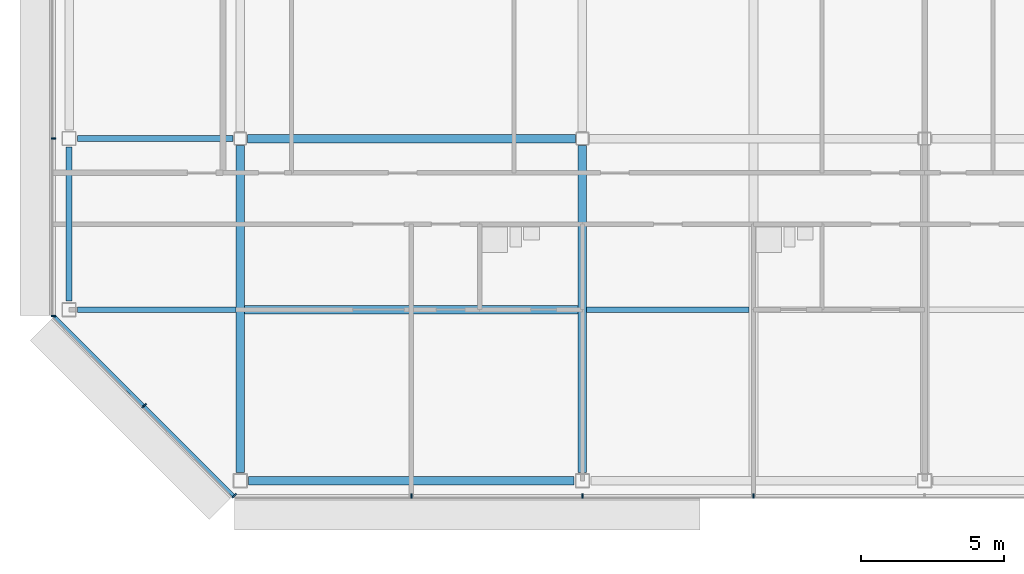
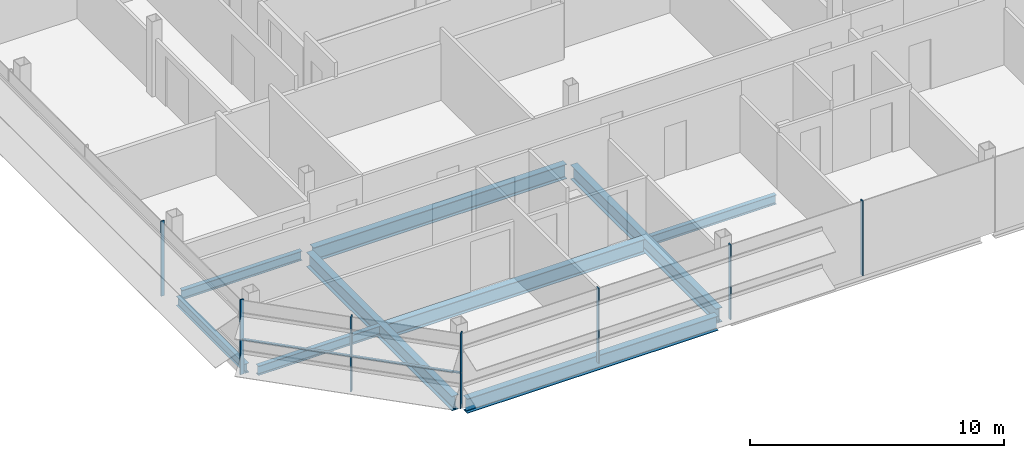
# One storey, part 4 of 28: 9 beams, 8 members, 3 elements without a shape of their own.
"""IFC4 building model written with IfcOpenShell, lengths in metres."""

from ifc_helpers import new_model, si_unit, direction, frame, origin, origin_2d, place, context, subcontext, project, spatial, rectangle, i_section, extrude, material, material_profile, profile_set, type_object, element, aggregate, save


model = new_model("IFC4")

# Units and contexts
model_context = context("Model", 3, precision=1e-05, world=origin(), true_north=direction((0.0, 1.0)))
body_context = subcontext(model_context, "Body", "Model", "MODEL_VIEW")
ifc_project = project(units=[si_unit("LENGTHUNIT", "METRE"), si_unit("AREAUNIT", "SQUARE_METRE"), si_unit("VOLUMEUNIT", "CUBIC_METRE"), si_unit("PLANEANGLEUNIT", "RADIAN"), si_unit("MASSUNIT", "GRAM", prefix="KILO")], contexts=[model_context])

# Site, building, storey
site_placement = place(None, origin())
site = spatial("IfcSite", under=ifc_project, at=site_placement, CompositionType="ELEMENT")
building_placement = place(site_placement, origin())
building = spatial("IfcBuilding", under=site, at=building_placement, Name="Sorahane Residences", CompositionType="ELEMENT")
storey_placement = place(building_placement, frame((0.0, 0.0, 301.60009765625)))
storey = spatial("IfcBuildingStorey", under=building, at=storey_placement, Name="L71", CompositionType="ELEMENT", Elevation=301.60009765625)

# Curtain wall, members
ifc_material_1 = material(Name="Dark low-e glass and black anodised aluminium", Category="aluminium")
curtain_wall_type_1 = type_object("IfcCurtainWallType", Name="Curtain wall CW-1 Typical unitised wall", PredefinedType="NOTDEFINED", material=ifc_material_1)
curtain_wall_1_placement = place(storey_placement, origin())
curtain_wall_1 = element("IfcCurtainWall", 1, at=curtain_wall_1_placement, inside=storey, type_object=curtain_wall_type_1, Name="CW-1 curtain wall L71 S1", PredefinedType="NOTDEFINED")
ifc_material_2 = material(Name="Black anodised aluminium", Category="aluminium")
ifc_material_profile_1 = material_profile(ifc_material_2, rectangle(XDim=0.159912109375, YDim=0.050048828125, at=origin_2d()), Name="Curtain wall mullion CW-1 black anodised aluminium 50x160")
ifc_profile_set_1 = profile_set([ifc_material_profile_1], Name="Black anodised aluminium")
member_type_1 = type_object("IfcMemberType", Name="Curtain wall mullion CW-1 black anodised aluminium 50x160", PredefinedType="MULLION", material=ifc_profile_set_1)
member_1_placement = place(storey_placement, frame((-6.0, -0.5400390625, -0.18017578125), z_axis=(0.0, 0.0, 1.0), x_axis=(0.0, -1.0, 0.0)))
member_1 = element("IfcMember", 2, at=member_1_placement, type_object=member_type_1, Name="CW-1 mullion L71 S1.2", PredefinedType="MULLION", context=body_context, shape_type="SweptSolid", body=[
    extrude(rectangle(XDim=0.159912109375, YDim=0.050048828125, at=origin_2d()), origin(), (0.0, 0.0, 1.0), 3.60009765625),
])
member_2_placement = place(storey_placement, frame((0.0, -0.5400390625, -0.18017578125), z_axis=(0.0, 0.0, 1.0), x_axis=(0.0, -1.0, 0.0)))
member_2 = element("IfcMember", 3, at=member_2_placement, type_object=member_type_1, Name="CW-1 mullion L71 S1.3", PredefinedType="MULLION", context=body_context, shape_type="SweptSolid", body=[
    extrude(rectangle(XDim=0.159912109375, YDim=0.050048828125, at=origin_2d()), origin(), (0.0, 0.0, 1.0), 3.60009765625),
])
member_3_placement = place(storey_placement, frame((6.0, -0.5400390625, -0.18017578125), z_axis=(0.0, 0.0, 1.0), x_axis=(0.0, -1.0, 0.0)))
member_3 = element("IfcMember", 4, at=member_3_placement, type_object=member_type_1, Name="CW-1 mullion L71 S1.4", PredefinedType="MULLION", context=body_context, shape_type="SweptSolid", body=[
    extrude(rectangle(XDim=0.159912109375, YDim=0.050048828125, at=origin_2d()), origin(), (0.0, 0.0, 1.0), 3.60009765625),
])
aggregate(curtain_wall_1, [member_1, member_2, member_3])

curtain_wall_2_placement = place(storey_placement, origin())
curtain_wall_2 = element("IfcCurtainWall", 5, at=curtain_wall_2_placement, inside=storey, type_object=curtain_wall_type_1, Name="CW-1 curtain wall L71 W1", PredefinedType="NOTDEFINED")
member_4_placement = place(storey_placement, frame((-18.5400390625, 12.0, -0.18017578125), z_axis=(0.0, 0.0, 1.0), x_axis=(-1.0, 0.0, 0.0)))
member_4 = element("IfcMember", 6, at=member_4_placement, type_object=member_type_1, Name="CW-1 mullion L71 W1.6", PredefinedType="MULLION", context=body_context, shape_type="SweptSolid", body=[
    extrude(rectangle(XDim=0.159912109375, YDim=0.050048828125, at=origin_2d()), origin(), (0.0, 0.0, 1.0), 3.60009765625),
])
member_5_placement = place(storey_placement, frame((-18.5400390625, 5.7763671875, -0.18017578125), z_axis=(0.0, 0.0, 1.0), x_axis=(-1.0, 0.0, 0.0)))
member_5 = element("IfcMember", 7, at=member_5_placement, type_object=member_type_1, Name="CW-1 mullion L71 W1.7", PredefinedType="MULLION", context=body_context, shape_type="SweptSolid", body=[
    extrude(rectangle(XDim=0.159912109375, YDim=0.050048828125, at=origin_2d()), origin(), (0.0, 0.0, 1.0), 3.60009765625),
])
aggregate(curtain_wall_2, [member_4, member_5])

ifc_material_3 = material(Name="Dark low-e glass and black anodised aluminium", Category="aluminium")
curtain_wall_type_2 = type_object("IfcCurtainWallType", Name="Curtain wall CW-2 Chamfer unitised wall", PredefinedType="NOTDEFINED", material=ifc_material_3)
curtain_wall_3_placement = place(storey_placement, origin())
curtain_wall_3 = element("IfcCurtainWall", 8, at=curtain_wall_3_placement, inside=storey, type_object=curtain_wall_type_2, Name="CW-2 curtain wall L71 SW1", PredefinedType="NOTDEFINED")
ifc_material_4 = material(Name="Black anodised aluminium", Category="aluminium")
ifc_material_profile_2 = material_profile(ifc_material_4, rectangle(XDim=0.199951171875, YDim=0.050048828125, at=origin_2d()), Name="Curtain wall mullion CW-2 black anodised aluminium 50x200")
ifc_profile_set_2 = profile_set([ifc_material_profile_2], Name="Black anodised aluminium")
member_type_2 = type_object("IfcMemberType", Name="Curtain wall mullion CW-2 black anodised aluminium 50x200", PredefinedType="MULLION", material=ifc_profile_set_2)
member_6_placement = place(storey_placement, frame((-15.36767578125, 2.63232421875, -0.18017578125), z_axis=(0.0, 0.0, 1.0), x_axis=(-0.707106781187, -0.707106781187, 0.0)))
member_6 = element("IfcMember", 9, at=member_6_placement, type_object=member_type_2, Name="CW-2 mullion L71 SW1.2", PredefinedType="MULLION", context=body_context, shape_type="SweptSolid", body=[
    extrude(rectangle(XDim=0.199951171875, YDim=0.050048828125, at=origin_2d()), origin(), (0.0, 0.0, 1.0), 3.60009765625),
])
member_7_placement = place(storey_placement, frame((-12.209716796875, -0.525634765625, -0.18017578125), z_axis=(0.0, 0.0, 1.0), x_axis=(-0.707106781187, -0.707106781187, 0.0)))
member_7 = element("IfcMember", 10, at=member_7_placement, type_object=member_type_2, Name="CW-2 mullion L71 SW1.3", PredefinedType="MULLION", context=body_context, shape_type="SweptSolid", body=[
    extrude(rectangle(XDim=0.199951171875, YDim=0.050048828125, at=origin_2d()), origin(), (0.0, 0.0, 1.0), 3.60009765625),
])
ifc_material_5 = material(Name="Black anodised aluminium", Category="aluminium")
ifc_material_profile_3 = material_profile(ifc_material_5, rectangle(XDim=0.10009765625, YDim=0.06005859375, at=origin_2d()), Name="Curtain wall transom CW-2 black anodised aluminium 60x100")
ifc_profile_set_3 = profile_set([ifc_material_profile_3], Name="Black anodised aluminium")
member_type_3 = type_object("IfcMemberType", Name="Curtain wall transom CW-2 black anodised aluminium 60x100", PredefinedType="USERDEFINED", material=ifc_profile_set_3)
member_8_placement = place(storey_placement, frame((-18.51513671875, 5.765625, 1.5), z_axis=(0.707106781187, -0.707106781187, 0.0), x_axis=(0.707106781187, 0.707106781187, 0.0)))
member_8 = element("IfcMember", 11, at=member_8_placement, type_object=member_type_3, Name="CW-2 transom L71 SW1", ObjectType="TRANSOM", PredefinedType="USERDEFINED", context=body_context, shape_type="SweptSolid", body=[
    extrude(rectangle(XDim=0.10009765625, YDim=0.06005859375, at=origin_2d()), origin(), (0.0, 0.0, 1.0), 8.88232421875),
])
aggregate(curtain_wall_3, [member_6, member_7, member_8])

# Beams
ifc_material_6 = material(Name="Steel Q355B", Category="steel")
ifc_material_profile_4 = material_profile(ifc_material_6, i_section(OverallWidth=0.199951171875, OverallDepth=0.449951171875, WebThickness=0.009033203125, FlangeThickness=0.013916015625, FilletRadius=0.02001953125, at=origin_2d()), Name="HN 450x200x9x14")
ifc_profile_set_4 = profile_set([ifc_material_profile_4], Name="Steel Q355B")
beam_type_1 = type_object("IfcBeamType", Name="Steel floor beam HN 450x200x9x14 Q355B", PredefinedType="BEAM", material=ifc_profile_set_4)
beam_1_placement = place(storey_placement, frame((-17.699951171875, 12.0, -0.405029296875), z_axis=(1.0, 0.0, 0.0), x_axis=(0.0, 1.0, 0.0)))
element("IfcBeam", 12, at=beam_1_placement, inside=storey, type_object=beam_type_1, Name="Beam L71 005", PredefinedType="BEAM", context=body_context, shape_type="SweptSolid", body=[
    extrude(i_section(OverallWidth=0.199951171875, OverallDepth=0.449951171875, WebThickness=0.009033203125, FlangeThickness=0.013916015625, FilletRadius=0.02001953125, at=origin_2d()), origin(), (0.0, 0.0, 1.0), 5.449951171875),
])
beam_2_placement = place(storey_placement, frame((-18.0, 6.300048828125, -0.405029296875), z_axis=(0.0, 1.0, 0.0), x_axis=(-1.0, 0.0, 0.0)))
element("IfcBeam", 13, at=beam_2_placement, inside=storey, type_object=beam_type_1, Name="Beam L71 020", PredefinedType="BEAM", context=body_context, shape_type="SweptSolid", body=[
    extrude(i_section(OverallWidth=0.199951171875, OverallDepth=0.449951171875, WebThickness=0.009033203125, FlangeThickness=0.013916015625, FilletRadius=0.02001953125, at=origin_2d()), origin(), (0.0, 0.0, 1.0), 5.39990234375),
])
beam_3_placement = place(storey_placement, frame((-17.699951171875, 6.0, -0.405029296875), z_axis=(1.0, 0.0, 0.0), x_axis=(0.0, 1.0, 0.0)))
element("IfcBeam", 14, at=beam_3_placement, inside=storey, type_object=beam_type_1, Name="Beam L71 066", PredefinedType="BEAM", context=body_context, shape_type="SweptSolid", body=[
    extrude(i_section(OverallWidth=0.199951171875, OverallDepth=0.449951171875, WebThickness=0.009033203125, FlangeThickness=0.013916015625, FilletRadius=0.02001953125, at=origin_2d()), origin(), (0.0, 0.0, 1.0), 5.550048828125),
])
beam_4_placement = place(storey_placement, frame((0.14990234375, 6.0, -0.405029296875), z_axis=(1.0, 0.0, 0.0), x_axis=(0.0, 1.0, 0.0)))
element("IfcBeam", 15, at=beam_4_placement, inside=storey, type_object=beam_type_1, Name="Beam L71 068", PredefinedType="BEAM", context=body_context, shape_type="SweptSolid", body=[
    extrude(i_section(OverallWidth=0.199951171875, OverallDepth=0.449951171875, WebThickness=0.009033203125, FlangeThickness=0.013916015625, FilletRadius=0.02001953125, at=origin_2d()), origin(), (0.0, 0.0, 1.0), 5.7001953125),
])
ifc_material_7 = material(Name="Steel Q355B", Category="steel")
ifc_material_profile_5 = material_profile(ifc_material_7, i_section(OverallWidth=0.300048828125, OverallDepth=0.699951171875, WebThickness=0.012939453125, FlangeThickness=0.02392578125, FilletRadius=0.028076171875, at=origin_2d()), Name="HN 700x300x13x24")
ifc_profile_set_5 = profile_set([ifc_material_profile_5], Name="Steel Q355B")
beam_type_2 = type_object("IfcBeamType", Name="Steel floor beam HN 700x300x13x24 Q355B", PredefinedType="BEAM", material=ifc_profile_set_5)
beam_5_placement = place(storey_placement, frame((-11.699951171875, 0.0, -0.530029296875), z_axis=(1.0, 0.0, 0.0), x_axis=(0.0, 1.0, 0.0)))
element("IfcBeam", 16, at=beam_5_placement, inside=storey, type_object=beam_type_2, Name="Beam L71 000", PredefinedType="BEAM", context=body_context, shape_type="SweptSolid", body=[
    extrude(i_section(OverallWidth=0.300048828125, OverallDepth=0.699951171875, WebThickness=0.012939453125, FlangeThickness=0.02392578125, FilletRadius=0.028076171875, at=origin_2d()), origin(), (0.0, 0.0, 1.0), 11.39990234375),
])
beam_6_placement = place(storey_placement, frame((-11.75, 12.0, -0.530029296875), z_axis=(1.0, 0.0, 0.0), x_axis=(0.0, 1.0, 0.0)))
element("IfcBeam", 17, at=beam_6_placement, inside=storey, type_object=beam_type_2, Name="Beam L71 006", PredefinedType="BEAM", context=body_context, shape_type="SweptSolid", body=[
    extrude(i_section(OverallWidth=0.300048828125, OverallDepth=0.699951171875, WebThickness=0.012939453125, FlangeThickness=0.02392578125, FilletRadius=0.028076171875, at=origin_2d()), origin(), (0.0, 0.0, 1.0), 11.5),
])
for number, where, z_axis, x_axis, name in (
    (18, (-12.0, 0.300048828125, -0.530029296875), (0.0, 1.0, 0.0), (-1.0, 0.0, 0.0), "Beam L71 024"),
    (19, (0.0, 0.300048828125, -0.530029296875), (0.0, 1.0, 0.0), (-1.0, 0.0, 0.0), "Beam L71 028"),
):
    element("IfcBeam", number, at=place(storey_placement, frame(where, z_axis=z_axis, x_axis=x_axis)), inside=storey, type_object=beam_type_2, Name=name, PredefinedType="BEAM", context=body_context, shape_type="SweptSolid", body=[
        extrude(i_section(OverallWidth=0.300048828125, OverallDepth=0.699951171875, WebThickness=0.012939453125, FlangeThickness=0.02392578125, FilletRadius=0.028076171875, at=origin_2d()), origin(), (0.0, 0.0, 1.0), 11.449951171875),
    ])
beam_7_placement = place(storey_placement, frame((-11.85009765625, 6.0, -0.530029296875), z_axis=(1.0, 0.0, 0.0), x_axis=(0.0, 1.0, 0.0)))
element("IfcBeam", 20, at=beam_7_placement, inside=storey, type_object=beam_type_2, Name="Beam L71 067", PredefinedType="BEAM", context=body_context, shape_type="SweptSolid", body=[
    extrude(i_section(OverallWidth=0.300048828125, OverallDepth=0.699951171875, WebThickness=0.012939453125, FlangeThickness=0.02392578125, FilletRadius=0.028076171875, at=origin_2d()), origin(), (0.0, 0.0, 1.0), 11.7001953125),
])

save(model, "model.ifc")
